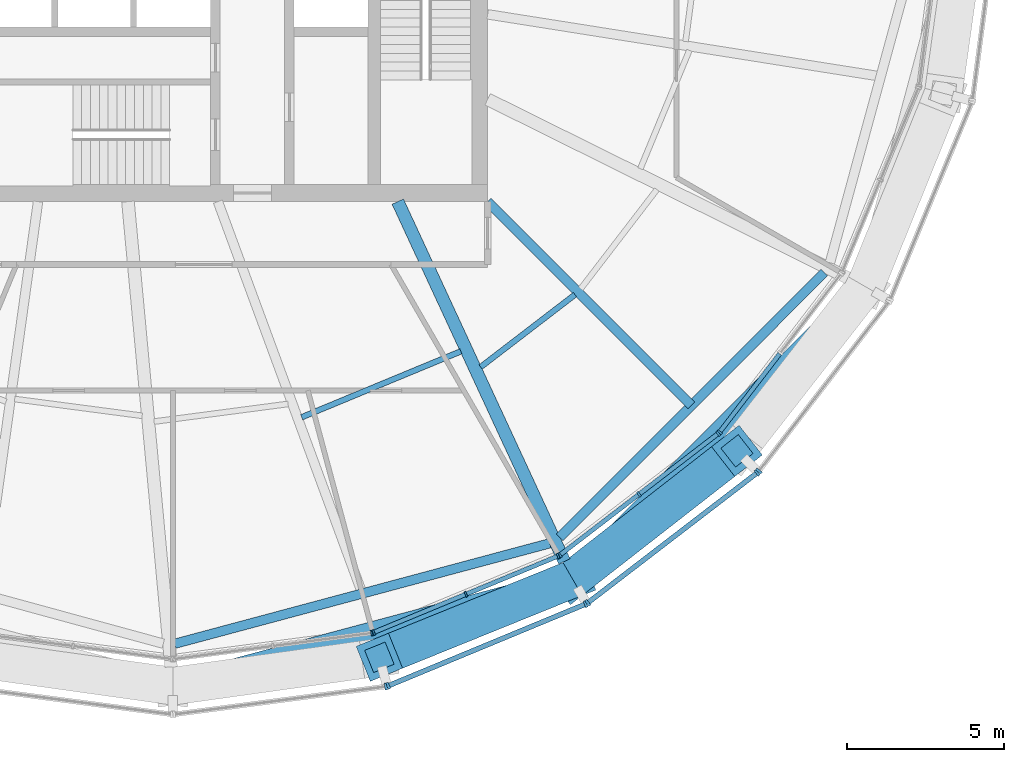
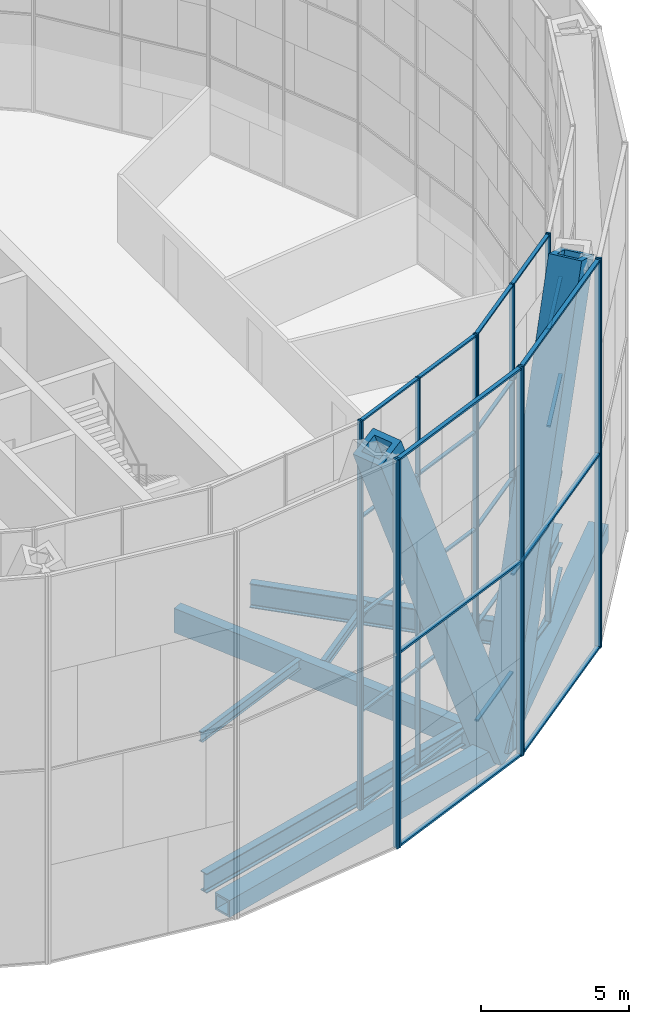
# One storey, part 5 of 29: 46 members, 8 beams, 8 elements without a shape of their own.
"""IFC4 building model written with IfcOpenShell, lengths in metres."""

from ifc_helpers import new_model, si_unit, direction, frame, origin, origin_2d, place, context, subcontext, project, spatial, rectangle, hollow_rectangle, i_section, extrude, material, material_profile, profile_set, type_object, element, aggregate, save


model = new_model("IFC4")

# Units and contexts
model_context = context("Model", 3, precision=1e-05, world=origin(), true_north=direction((0.0, 1.0)))
body_context = subcontext(model_context, "Body", "Model", "MODEL_VIEW")
ifc_project = project(units=[si_unit("LENGTHUNIT", "METRE"), si_unit("AREAUNIT", "SQUARE_METRE"), si_unit("VOLUMEUNIT", "CUBIC_METRE"), si_unit("PLANEANGLEUNIT", "RADIAN"), si_unit("MASSUNIT", "GRAM", prefix="KILO")], contexts=[model_context])

# Site, building, storey
site_placement = place(None, origin())
site = spatial("IfcSite", under=ifc_project, at=site_placement, CompositionType="ELEMENT")
building_placement = place(site_placement, origin())
building = spatial("IfcBuilding", under=site, at=building_placement, Name="Golbaran Civic Tower", CompositionType="ELEMENT")
storey_placement = place(building_placement, frame((0.0, 0.0, 118.0)))
storey = spatial("IfcBuildingStorey", under=building, at=storey_placement, Name="L28", CompositionType="ELEMENT", Elevation=118.0)

# Members
ifc_material_1 = material(Name="Steel S355", Category="steel")
ifc_material_profile_1 = material_profile(ifc_material_1, hollow_rectangle(XDim=1.199951171875, YDim=1.199951171875, WallThickness=0.219970703125, at=origin_2d()), Name="BOX 1200x1200x220")
ifc_profile_set_1 = profile_set([ifc_material_profile_1], Name="Steel S355")
member_type_1 = type_object("IfcMemberType", Name="DIAGRID DIAGONAL BOX 1200x1200x220", PredefinedType="BRACE", material=ifc_profile_set_1)
for number, where, z_axis, x_axis, name in (
    (1, (12.696533203125, -21.990966796875, -0.7099609375), (0.301533756345, 0.235212402726, 0.923987293954), (-0.615057929153, 0.788481923563, 0.0), "Diagonal D06-10R L28-L32"),
    (2, (12.696533203125, -21.990966796875, -0.7099609375), (-0.3544612565, -0.143541229562, 0.92398762603), (0.375347369478, -0.926884217271, 0.0), "Diagonal D06-10L L28-L32"),
):
    element("IfcMember", number, at=place(storey_placement, frame(where, z_axis=z_axis, x_axis=x_axis)), inside=storey, type_object=member_type_1, Name=name, PredefinedType="BRACE", context=body_context, shape_type="SweptSolid", body=[
        extrude(hollow_rectangle(XDim=1.199951171875, YDim=1.199951171875, WallThickness=0.219970703125, at=origin_2d()), origin(), (0.0, 0.0, 1.0), 17.316162109375),
    ])

# Beams
ifc_material_profile_2 = material_profile(ifc_material_1, hollow_rectangle(XDim=0.699951171875, YDim=0.699951171875, WallThickness=0.080078125, at=origin_2d()), Name="BOX 700x700x80")
ifc_profile_set_2 = profile_set([ifc_material_profile_2], Name="Steel S355")
beam_type_1 = type_object("IfcBeamType", Name="DIAGRID RING TIE BOX 700x700x80", PredefinedType="BEAM", material=ifc_profile_set_2)
beam_1_placement = place(storey_placement, frame((0.0, -25.39306640625, -0.7099609375), z_axis=(0.965924422812, 0.258824282894, 0.0), x_axis=(-0.258824282894, 0.965924422812, 0.0)))
element("IfcBeam", 3, at=beam_1_placement, inside=storey, type_object=beam_type_1, Name="Ring tie 270.00 L28", PredefinedType="BEAM", context=body_context, shape_type="SweptSolid", body=[
    extrude(hollow_rectangle(XDim=0.699951171875, YDim=0.699951171875, WallThickness=0.080078125, at=origin_2d()), origin(), (0.0, 0.0, 1.0), 13.14453125),
])
beam_2_placement = place(storey_placement, frame((12.696533203125, -21.990966796875, -0.7099609375), z_axis=(0.707106781187, 0.707106781187, 0.0), x_axis=(-0.707106781187, 0.707106781187, 0.0)))
element("IfcBeam", 4, at=beam_2_placement, inside=storey, type_object=beam_type_1, Name="Ring tie 300.00 L28", PredefinedType="BEAM", context=body_context, shape_type="SweptSolid", body=[
    extrude(hollow_rectangle(XDim=0.699951171875, YDim=0.699951171875, WallThickness=0.080078125, at=origin_2d()), origin(), (0.0, 0.0, 1.0), 13.144287109375),
])
ifc_material_profile_3 = material_profile(ifc_material_1, i_section(OverallWidth=0.300048828125, OverallDepth=0.800048828125, WebThickness=0.017578125, FlangeThickness=0.032958984375, FilletRadius=0.030029296875, at=origin_2d()), Name="HEB 800")
ifc_profile_set_3 = profile_set([ifc_material_profile_3], Name="Steel S355")
beam_type_2 = type_object("IfcBeamType", Name="EDGE BEAM HEB 800", PredefinedType="BEAM", material=ifc_profile_set_3)
beam_3_placement = place(storey_placement, frame((0.055908203125, -24.046630859375, -0.60009765625), z_axis=(0.965940985164, 0.258762464781, 0.0), x_axis=(-0.258762464781, 0.965940985164, 0.0)))
element("IfcBeam", 5, at=beam_3_placement, inside=storey, type_object=beam_type_2, Name="Edge beam 270.00 L28", PredefinedType="BEAM", context=body_context, shape_type="SweptSolid", body=[
    extrude(i_section(OverallWidth=0.300048828125, OverallDepth=0.800048828125, WebThickness=0.017578125, FlangeThickness=0.032958984375, FilletRadius=0.030029296875, at=origin_2d()), origin(), (0.0, 0.0, 1.0), 12.336181640625),
])
beam_4_placement = place(storey_placement, frame((12.28369140625, -20.671630859375, -0.60009765625), z_axis=(0.70660386413, 0.707609340806, 0.0), x_axis=(-0.707609340806, 0.70660386413, 0.0)))
element("IfcBeam", 6, at=beam_4_placement, inside=storey, type_object=beam_type_2, Name="Edge beam 300.00 L28", PredefinedType="BEAM", context=body_context, shape_type="SweptSolid", body=[
    extrude(i_section(OverallWidth=0.300048828125, OverallDepth=0.800048828125, WebThickness=0.017578125, FlangeThickness=0.032958984375, FilletRadius=0.030029296875, at=origin_2d()), origin(), (0.0, 0.0, 1.0), 11.897705078125),
])
ifc_material_profile_4 = material_profile(ifc_material_1, i_section(OverallWidth=0.179931640625, OverallDepth=0.39990234375, WebThickness=0.008544921875, FlangeThickness=0.013427734375, FilletRadius=0.02099609375, at=origin_2d()), Name="IPE 400")
ifc_profile_set_4 = profile_set([ifc_material_profile_4], Name="Steel S355")
beam_type_3 = type_object("IfcBeamType", Name="FLOOR INFILL BEAM IPE 400", PredefinedType="BEAM", material=ifc_profile_set_4)
beam_5_placement = place(storey_placement, frame((4.091064453125, -16.8505859375, -0.39990234375), z_axis=(0.923869483513, 0.382707691891, 0.0), x_axis=(-0.382707691891, 0.923869483513, 0.0)))
element("IfcBeam", 7, at=beam_5_placement, inside=storey, type_object=beam_type_3, Name="Infill beam 292.50 L28", PredefinedType="BEAM", context=body_context, shape_type="SweptSolid", body=[
    extrude(i_section(OverallWidth=0.179931640625, OverallDepth=0.39990234375, WebThickness=0.008544921875, FlangeThickness=0.013427734375, FilletRadius=0.02099609375, at=origin_2d()), origin(), (0.0, 0.0, 1.0), 5.472900390625),
])
beam_6_placement = place(storey_placement, frame((9.775146484375, -15.255126953125, -0.39990234375), z_axis=(0.793327475399, 0.608795135309, 0.0), x_axis=(-0.608795135309, 0.793327475399, 0.0)))
element("IfcBeam", 8, at=beam_6_placement, inside=storey, type_object=beam_type_3, Name="Infill beam 307.50 L28", PredefinedType="BEAM", context=body_context, shape_type="SweptSolid", body=[
    extrude(i_section(OverallWidth=0.179931640625, OverallDepth=0.39990234375, WebThickness=0.008544921875, FlangeThickness=0.013427734375, FilletRadius=0.02099609375, at=origin_2d()), origin(), (0.0, 0.0, 1.0), 3.77734375),
])

# Curtain wall, member
ifc_material_2 = material(Name="Aluminium and glass", Category="aluminium")
curtain_wall_type_1 = type_object("IfcCurtainWallType", Name="INNER SKIN CURTAIN WALL", PredefinedType="NOTDEFINED", material=ifc_material_2)
curtain_wall_1_placement = place(storey_placement, origin())
curtain_wall_1 = element("IfcCurtainWall", 9, at=curtain_wall_1_placement, inside=storey, type_object=curtain_wall_type_1, Name="Inner skin L28 facet 19 CW1", ObjectType="INNER SKIN", PredefinedType="USERDEFINED")
ifc_material_3 = material(Name="Aluminium", Category="aluminium")
ifc_material_profile_5 = material_profile(ifc_material_3, rectangle(XDim=0.179931640625, YDim=0.06494140625, at=origin_2d()), Name="INNER SKIN CURTAIN WALL MULLION")
ifc_profile_set_5 = profile_set([ifc_material_profile_5], Name="Aluminium")
member_type_2 = type_object("IfcMemberType", Name="INNER SKIN CURTAIN WALL MULLION", PredefinedType="MULLION", material=ifc_profile_set_5)
member_1_placement = place(storey_placement, frame((6.317626953125, -23.7021484375, 0.0), z_axis=(0.0, 0.0, 1.0), x_axis=(-0.130526192237, 0.991444861372, 0.0)))
member_1 = element("IfcMember", 10, at=member_1_placement, type_object=member_type_2, Name="CW1 mullion 3", PredefinedType="MULLION", context=body_context, shape_type="SweptSolid", body=[
    extrude(rectangle(XDim=0.179931640625, YDim=0.06494140625, at=origin_2d()), origin(), (0.0, 0.0, 1.0), 16.0),
])
aggregate(curtain_wall_1, [member_1])

# Curtain wall, members
curtain_wall_2_placement = place(storey_placement, origin())
curtain_wall_2 = element("IfcCurtainWall", 11, at=curtain_wall_2_placement, inside=storey, type_object=curtain_wall_type_1, Name="Inner skin L28 facet 20 CW1", ObjectType="INNER SKIN", PredefinedType="USERDEFINED")
member_2_placement = place(storey_placement, frame((6.3798828125, -23.685546875, 0.0), z_axis=(0.0, 0.0, 1.0), x_axis=(-0.38268343243, 0.923879532485, 0.0)))
member_2 = element("IfcMember", 12, at=member_2_placement, type_object=member_type_2, Name="CW1 mullion 1", PredefinedType="MULLION", context=body_context, shape_type="SweptSolid", body=[
    extrude(rectangle(XDim=0.179931640625, YDim=0.06494140625, at=origin_2d()), origin(), (0.0, 0.0, 1.0), 16.0),
])
member_3_placement = place(storey_placement, frame((9.308349609375, -22.47265625, 0.0), z_axis=(0.0, 0.0, 1.0), x_axis=(-0.38268343243, 0.923879532485, 0.0)))
member_3 = element("IfcMember", 13, at=member_3_placement, type_object=member_type_2, Name="CW1 mullion 2", PredefinedType="MULLION", context=body_context, shape_type="SweptSolid", body=[
    extrude(rectangle(XDim=0.179931640625, YDim=0.06494140625, at=origin_2d()), origin(), (0.0, 0.0, 1.0), 16.0),
])
member_4_placement = place(storey_placement, frame((12.237060546875, -21.259521484375, 0.0), z_axis=(0.0, 0.0, 1.0), x_axis=(-0.38268343243, 0.923879532485, 0.0)))
member_4 = element("IfcMember", 14, at=member_4_placement, type_object=member_type_2, Name="CW1 mullion 3", PredefinedType="MULLION", context=body_context, shape_type="SweptSolid", body=[
    extrude(rectangle(XDim=0.179931640625, YDim=0.06494140625, at=origin_2d()), origin(), (0.0, 0.0, 1.0), 16.0),
])

curtain_wall_3_placement = place(storey_placement, origin())
curtain_wall_3 = element("IfcCurtainWall", 15, at=curtain_wall_3_placement, inside=storey, type_object=curtain_wall_type_1, Name="Inner skin L28 facet 21 CW1", ObjectType="INNER SKIN", PredefinedType="USERDEFINED")
member_5_placement = place(storey_placement, frame((12.292724609375, -21.227294921875, 0.0), z_axis=(0.0, 0.0, 1.0), x_axis=(-0.608761428898, 0.793353340376, 0.0)))
member_5 = element("IfcMember", 16, at=member_5_placement, type_object=member_type_2, Name="CW1 mullion 1", PredefinedType="MULLION", context=body_context, shape_type="SweptSolid", body=[
    extrude(rectangle(XDim=0.179931640625, YDim=0.06494140625, at=origin_2d()), origin(), (0.0, 0.0, 1.0), 16.0),
])
member_6_placement = place(storey_placement, frame((14.8076171875, -19.297607421875, 0.0), z_axis=(0.0, 0.0, 1.0), x_axis=(-0.608761428898, 0.793353340376, 0.0)))
member_6 = element("IfcMember", 17, at=member_6_placement, type_object=member_type_2, Name="CW1 mullion 2", PredefinedType="MULLION", context=body_context, shape_type="SweptSolid", body=[
    extrude(rectangle(XDim=0.179931640625, YDim=0.06494140625, at=origin_2d()), origin(), (0.0, 0.0, 1.0), 16.0),
])
member_7_placement = place(storey_placement, frame((17.322265625, -17.367919921875, 0.0), z_axis=(0.0, 0.0, 1.0), x_axis=(-0.608761428898, 0.793353340376, 0.0)))
member_7 = element("IfcMember", 18, at=member_7_placement, type_object=member_type_2, Name="CW1 mullion 3", PredefinedType="MULLION", context=body_context, shape_type="SweptSolid", body=[
    extrude(rectangle(XDim=0.179931640625, YDim=0.06494140625, at=origin_2d()), origin(), (0.0, 0.0, 1.0), 16.0),
])

# Curtain wall, member
curtain_wall_4_placement = place(storey_placement, origin())
curtain_wall_4 = element("IfcCurtainWall", 19, at=curtain_wall_4_placement, inside=storey, type_object=curtain_wall_type_1, Name="Inner skin L28 facet 22 CW1", ObjectType="INNER SKIN", PredefinedType="USERDEFINED")
member_8_placement = place(storey_placement, frame((17.367919921875, -17.322265625, 0.0), z_axis=(0.0, 0.0, 1.0), x_axis=(-0.793353340376, 0.608761428898, 0.0)))
member_8 = element("IfcMember", 20, at=member_8_placement, type_object=member_type_2, Name="CW1 mullion 1", PredefinedType="MULLION", context=body_context, shape_type="SweptSolid", body=[
    extrude(rectangle(XDim=0.179931640625, YDim=0.06494140625, at=origin_2d()), origin(), (0.0, 0.0, 1.0), 16.0),
])

# Member
ifc_material_profile_6 = material_profile(ifc_material_3, rectangle(XDim=0.139892578125, YDim=0.06494140625, at=origin_2d()), Name="INNER SKIN CURTAIN WALL TRANSOM")
ifc_profile_set_6 = profile_set([ifc_material_profile_6], Name="Aluminium")
member_type_3 = type_object("IfcMemberType", Name="INNER SKIN CURTAIN WALL TRANSOM", PredefinedType="USERDEFINED", material=ifc_profile_set_6)
member_9_placement = place(storey_placement, frame((6.409912109375, -23.673095703125, 0.032470703125), z_axis=(0.923868276622, 0.382710605355, 0.0), x_axis=(-0.382710605355, 0.923868276622, 0.0)))
member_9 = element("IfcMember", 21, at=member_9_placement, type_object=member_type_3, Name="CW1 transom 1.1", ObjectType="TRANSOM", PredefinedType="USERDEFINED", context=body_context, shape_type="SweptSolid", body=[
    extrude(rectangle(XDim=0.139892578125, YDim=0.06494140625, at=origin_2d()), origin(), (0.0, 0.0, 1.0), 3.104736328125),
])

member_10_placement = place(storey_placement, frame((6.409912109375, -23.673095703125, 4.0), z_axis=(0.923868276622, 0.382710605355, 0.0), x_axis=(-0.382710605355, 0.923868276622, 0.0)))
member_10 = element("IfcMember", 22, at=member_10_placement, type_object=member_type_3, Name="CW1 transom 1.2", ObjectType="TRANSOM", PredefinedType="USERDEFINED", context=body_context, shape_type="SweptSolid", body=[
    extrude(rectangle(XDim=0.139892578125, YDim=0.06494140625, at=origin_2d()), origin(), (0.0, 0.0, 1.0), 3.104736328125),
])

member_11_placement = place(storey_placement, frame((6.409912109375, -23.673095703125, 8.0), z_axis=(0.923868276622, 0.382710605355, 0.0), x_axis=(-0.382710605355, 0.923868276622, 0.0)))
member_11 = element("IfcMember", 23, at=member_11_placement, type_object=member_type_3, Name="CW1 transom 1.3", ObjectType="TRANSOM", PredefinedType="USERDEFINED", context=body_context, shape_type="SweptSolid", body=[
    extrude(rectangle(XDim=0.139892578125, YDim=0.06494140625, at=origin_2d()), origin(), (0.0, 0.0, 1.0), 3.104736328125),
])

member_12_placement = place(storey_placement, frame((6.409912109375, -23.673095703125, 12.0), z_axis=(0.923868276622, 0.382710605355, 0.0), x_axis=(-0.382710605355, 0.923868276622, 0.0)))
member_12 = element("IfcMember", 24, at=member_12_placement, type_object=member_type_3, Name="CW1 transom 1.4", ObjectType="TRANSOM", PredefinedType="USERDEFINED", context=body_context, shape_type="SweptSolid", body=[
    extrude(rectangle(XDim=0.139892578125, YDim=0.06494140625, at=origin_2d()), origin(), (0.0, 0.0, 1.0), 3.104736328125),
])

member_13_placement = place(storey_placement, frame((6.409912109375, -23.673095703125, 15.967529296875), z_axis=(0.923868276622, 0.382710605355, 0.0), x_axis=(-0.382710605355, 0.923868276622, 0.0)))
member_13 = element("IfcMember", 25, at=member_13_placement, type_object=member_type_3, Name="CW1 transom 1.5", ObjectType="TRANSOM", PredefinedType="USERDEFINED", context=body_context, shape_type="SweptSolid", body=[
    extrude(rectangle(XDim=0.139892578125, YDim=0.06494140625, at=origin_2d()), origin(), (0.0, 0.0, 1.0), 3.104736328125),
])

member_14_placement = place(storey_placement, frame((9.33837890625, -22.460205078125, 0.032470703125), z_axis=(0.923879792653, 0.382682804327, 0.0), x_axis=(-0.382682804327, 0.923879792653, 0.0)))
member_14 = element("IfcMember", 26, at=member_14_placement, type_object=member_type_3, Name="CW1 transom 2.1", ObjectType="TRANSOM", PredefinedType="USERDEFINED", context=body_context, shape_type="SweptSolid", body=[
    extrude(rectangle(XDim=0.139892578125, YDim=0.06494140625, at=origin_2d()), origin(), (0.0, 0.0, 1.0), 3.10498046875),
])

member_15_placement = place(storey_placement, frame((9.33837890625, -22.460205078125, 4.0), z_axis=(0.923879792653, 0.382682804327, 0.0), x_axis=(-0.382682804327, 0.923879792653, 0.0)))
member_15 = element("IfcMember", 27, at=member_15_placement, type_object=member_type_3, Name="CW1 transom 2.2", ObjectType="TRANSOM", PredefinedType="USERDEFINED", context=body_context, shape_type="SweptSolid", body=[
    extrude(rectangle(XDim=0.139892578125, YDim=0.06494140625, at=origin_2d()), origin(), (0.0, 0.0, 1.0), 3.10498046875),
])

member_16_placement = place(storey_placement, frame((9.33837890625, -22.460205078125, 8.0), z_axis=(0.923879792653, 0.382682804327, 0.0), x_axis=(-0.382682804327, 0.923879792653, 0.0)))
member_16 = element("IfcMember", 28, at=member_16_placement, type_object=member_type_3, Name="CW1 transom 2.3", ObjectType="TRANSOM", PredefinedType="USERDEFINED", context=body_context, shape_type="SweptSolid", body=[
    extrude(rectangle(XDim=0.139892578125, YDim=0.06494140625, at=origin_2d()), origin(), (0.0, 0.0, 1.0), 3.10498046875),
])

member_17_placement = place(storey_placement, frame((9.33837890625, -22.460205078125, 12.0), z_axis=(0.923879792653, 0.382682804327, 0.0), x_axis=(-0.382682804327, 0.923879792653, 0.0)))
member_17 = element("IfcMember", 29, at=member_17_placement, type_object=member_type_3, Name="CW1 transom 2.4", ObjectType="TRANSOM", PredefinedType="USERDEFINED", context=body_context, shape_type="SweptSolid", body=[
    extrude(rectangle(XDim=0.139892578125, YDim=0.06494140625, at=origin_2d()), origin(), (0.0, 0.0, 1.0), 3.10498046875),
])

member_18_placement = place(storey_placement, frame((9.33837890625, -22.460205078125, 15.967529296875), z_axis=(0.923879792653, 0.382682804327, 0.0), x_axis=(-0.382682804327, 0.923879792653, 0.0)))
member_18 = element("IfcMember", 30, at=member_18_placement, type_object=member_type_3, Name="CW1 transom 2.5", ObjectType="TRANSOM", PredefinedType="USERDEFINED", context=body_context, shape_type="SweptSolid", body=[
    extrude(rectangle(XDim=0.139892578125, YDim=0.06494140625, at=origin_2d()), origin(), (0.0, 0.0, 1.0), 3.10498046875),
])

aggregate(curtain_wall_2, [member_2, member_3, member_4, member_9, member_10, member_11, member_12, member_13, member_14, member_15, member_16, member_17, member_18])

member_19_placement = place(storey_placement, frame((12.318603515625, -21.20751953125, 0.032470703125), z_axis=(0.793336705277, 0.608783107568, 0.0), x_axis=(-0.608783107568, 0.793336705277, 0.0)))
member_19 = element("IfcMember", 31, at=member_19_placement, type_object=member_type_3, Name="CW1 transom 1.1", ObjectType="TRANSOM", PredefinedType="USERDEFINED", context=body_context, shape_type="SweptSolid", body=[
    extrude(rectangle(XDim=0.139892578125, YDim=0.06494140625, at=origin_2d()), origin(), (0.0, 0.0, 1.0), 3.104736328125),
])

member_20_placement = place(storey_placement, frame((12.318603515625, -21.20751953125, 4.0), z_axis=(0.793336705277, 0.608783107568, 0.0), x_axis=(-0.608783107568, 0.793336705277, 0.0)))
member_20 = element("IfcMember", 32, at=member_20_placement, type_object=member_type_3, Name="CW1 transom 1.2", ObjectType="TRANSOM", PredefinedType="USERDEFINED", context=body_context, shape_type="SweptSolid", body=[
    extrude(rectangle(XDim=0.139892578125, YDim=0.06494140625, at=origin_2d()), origin(), (0.0, 0.0, 1.0), 3.104736328125),
])

member_21_placement = place(storey_placement, frame((12.318603515625, -21.20751953125, 8.0), z_axis=(0.793336705277, 0.608783107568, 0.0), x_axis=(-0.608783107568, 0.793336705277, 0.0)))
member_21 = element("IfcMember", 33, at=member_21_placement, type_object=member_type_3, Name="CW1 transom 1.3", ObjectType="TRANSOM", PredefinedType="USERDEFINED", context=body_context, shape_type="SweptSolid", body=[
    extrude(rectangle(XDim=0.139892578125, YDim=0.06494140625, at=origin_2d()), origin(), (0.0, 0.0, 1.0), 3.104736328125),
])

member_22_placement = place(storey_placement, frame((12.318603515625, -21.20751953125, 12.0), z_axis=(0.793336705277, 0.608783107568, 0.0), x_axis=(-0.608783107568, 0.793336705277, 0.0)))
member_22 = element("IfcMember", 34, at=member_22_placement, type_object=member_type_3, Name="CW1 transom 1.4", ObjectType="TRANSOM", PredefinedType="USERDEFINED", context=body_context, shape_type="SweptSolid", body=[
    extrude(rectangle(XDim=0.139892578125, YDim=0.06494140625, at=origin_2d()), origin(), (0.0, 0.0, 1.0), 3.104736328125),
])

member_23_placement = place(storey_placement, frame((12.318603515625, -21.20751953125, 15.967529296875), z_axis=(0.793336705277, 0.608783107568, 0.0), x_axis=(-0.608783107568, 0.793336705277, 0.0)))
member_23 = element("IfcMember", 35, at=member_23_placement, type_object=member_type_3, Name="CW1 transom 1.5", ObjectType="TRANSOM", PredefinedType="USERDEFINED", context=body_context, shape_type="SweptSolid", body=[
    extrude(rectangle(XDim=0.139892578125, YDim=0.06494140625, at=origin_2d()), origin(), (0.0, 0.0, 1.0), 3.104736328125),
])

member_24_placement = place(storey_placement, frame((14.833251953125, -19.27783203125, 0.032470703125), z_axis=(0.793365845574, 0.60874513146, 0.0), x_axis=(-0.60874513146, 0.793365845574, 0.0)))
member_24 = element("IfcMember", 36, at=member_24_placement, type_object=member_type_3, Name="CW1 transom 2.1", ObjectType="TRANSOM", PredefinedType="USERDEFINED", context=body_context, shape_type="SweptSolid", body=[
    extrude(rectangle(XDim=0.139892578125, YDim=0.06494140625, at=origin_2d()), origin(), (0.0, 0.0, 1.0), 3.10498046875),
])

member_25_placement = place(storey_placement, frame((14.833251953125, -19.27783203125, 4.0), z_axis=(0.793365845574, 0.60874513146, 0.0), x_axis=(-0.60874513146, 0.793365845574, 0.0)))
member_25 = element("IfcMember", 37, at=member_25_placement, type_object=member_type_3, Name="CW1 transom 2.2", ObjectType="TRANSOM", PredefinedType="USERDEFINED", context=body_context, shape_type="SweptSolid", body=[
    extrude(rectangle(XDim=0.139892578125, YDim=0.06494140625, at=origin_2d()), origin(), (0.0, 0.0, 1.0), 3.10498046875),
])

member_26_placement = place(storey_placement, frame((14.833251953125, -19.27783203125, 8.0), z_axis=(0.793365845574, 0.60874513146, 0.0), x_axis=(-0.60874513146, 0.793365845574, 0.0)))
member_26 = element("IfcMember", 38, at=member_26_placement, type_object=member_type_3, Name="CW1 transom 2.3", ObjectType="TRANSOM", PredefinedType="USERDEFINED", context=body_context, shape_type="SweptSolid", body=[
    extrude(rectangle(XDim=0.139892578125, YDim=0.06494140625, at=origin_2d()), origin(), (0.0, 0.0, 1.0), 3.10498046875),
])

member_27_placement = place(storey_placement, frame((14.833251953125, -19.27783203125, 12.0), z_axis=(0.793365845574, 0.60874513146, 0.0), x_axis=(-0.60874513146, 0.793365845574, 0.0)))
member_27 = element("IfcMember", 39, at=member_27_placement, type_object=member_type_3, Name="CW1 transom 2.4", ObjectType="TRANSOM", PredefinedType="USERDEFINED", context=body_context, shape_type="SweptSolid", body=[
    extrude(rectangle(XDim=0.139892578125, YDim=0.06494140625, at=origin_2d()), origin(), (0.0, 0.0, 1.0), 3.10498046875),
])

member_28_placement = place(storey_placement, frame((14.833251953125, -19.27783203125, 15.967529296875), z_axis=(0.793365845574, 0.60874513146, 0.0), x_axis=(-0.60874513146, 0.793365845574, 0.0)))
member_28 = element("IfcMember", 40, at=member_28_placement, type_object=member_type_3, Name="CW1 transom 2.5", ObjectType="TRANSOM", PredefinedType="USERDEFINED", context=body_context, shape_type="SweptSolid", body=[
    extrude(rectangle(XDim=0.139892578125, YDim=0.06494140625, at=origin_2d()), origin(), (0.0, 0.0, 1.0), 3.10498046875),
])

aggregate(curtain_wall_3, [member_5, member_6, member_7, member_19, member_20, member_21, member_22, member_23, member_24, member_25, member_26, member_27, member_28])

member_29_placement = place(storey_placement, frame((17.3876953125, -17.296630859375, 0.032470703125), z_axis=(0.60874513146, 0.793365845574, 0.0), x_axis=(-0.793365845574, 0.60874513146, 0.0)))
member_29 = element("IfcMember", 41, at=member_29_placement, type_object=member_type_3, Name="CW1 transom 1.1", ObjectType="TRANSOM", PredefinedType="USERDEFINED", context=body_context, shape_type="SweptSolid", body=[
    extrude(rectangle(XDim=0.139892578125, YDim=0.06494140625, at=origin_2d()), origin(), (0.0, 0.0, 1.0), 3.10498046875),
])

member_30_placement = place(storey_placement, frame((17.3876953125, -17.296630859375, 4.0), z_axis=(0.60874513146, 0.793365845574, 0.0), x_axis=(-0.793365845574, 0.60874513146, 0.0)))
member_30 = element("IfcMember", 42, at=member_30_placement, type_object=member_type_3, Name="CW1 transom 1.2", ObjectType="TRANSOM", PredefinedType="USERDEFINED", context=body_context, shape_type="SweptSolid", body=[
    extrude(rectangle(XDim=0.139892578125, YDim=0.06494140625, at=origin_2d()), origin(), (0.0, 0.0, 1.0), 3.10498046875),
])

member_31_placement = place(storey_placement, frame((17.3876953125, -17.296630859375, 8.0), z_axis=(0.60874513146, 0.793365845574, 0.0), x_axis=(-0.793365845574, 0.60874513146, 0.0)))
member_31 = element("IfcMember", 43, at=member_31_placement, type_object=member_type_3, Name="CW1 transom 1.3", ObjectType="TRANSOM", PredefinedType="USERDEFINED", context=body_context, shape_type="SweptSolid", body=[
    extrude(rectangle(XDim=0.139892578125, YDim=0.06494140625, at=origin_2d()), origin(), (0.0, 0.0, 1.0), 3.10498046875),
])

member_32_placement = place(storey_placement, frame((17.3876953125, -17.296630859375, 12.0), z_axis=(0.60874513146, 0.793365845574, 0.0), x_axis=(-0.793365845574, 0.60874513146, 0.0)))
member_32 = element("IfcMember", 44, at=member_32_placement, type_object=member_type_3, Name="CW1 transom 1.4", ObjectType="TRANSOM", PredefinedType="USERDEFINED", context=body_context, shape_type="SweptSolid", body=[
    extrude(rectangle(XDim=0.139892578125, YDim=0.06494140625, at=origin_2d()), origin(), (0.0, 0.0, 1.0), 3.10498046875),
])

aggregate(curtain_wall_4, [member_8, member_29, member_30, member_31, member_32])

# Curtain wall, member
curtain_wall_type_2 = type_object("IfcCurtainWallType", Name="OUTER SKIN TERRACOTTA SCREEN", PredefinedType="NOTDEFINED", material=ifc_material_2)
curtain_wall_5_placement = place(storey_placement, origin())
curtain_wall_5 = element("IfcCurtainWall", 45, at=curtain_wall_5_placement, inside=storey, type_object=curtain_wall_type_2, Name="Outer skin L28 facet 19 CW3", ObjectType="OUTER SKIN", PredefinedType="USERDEFINED")
ifc_material_profile_7 = material_profile(ifc_material_3, rectangle(XDim=0.219970703125, YDim=0.080078125, at=origin_2d()), Name="OUTER SKIN TERRACOTTA SCREEN MULLION")
ifc_profile_set_7 = profile_set([ifc_material_profile_7], Name="Aluminium")
member_type_4 = type_object("IfcMemberType", Name="OUTER SKIN TERRACOTTA SCREEN MULLION", PredefinedType="MULLION", material=ifc_profile_set_7)
member_33_placement = place(storey_placement, frame((6.765380859375, -25.40234375, -0.7099609375), z_axis=(0.0, 0.0, 1.0), x_axis=(-0.130526192168, 0.991444861381, 0.0)))
member_33 = element("IfcMember", 46, at=member_33_placement, type_object=member_type_4, Name="CW3 mullion 2", PredefinedType="MULLION", context=body_context, shape_type="SweptSolid", body=[
    extrude(rectangle(XDim=0.219970703125, YDim=0.080078125, at=origin_2d()), origin(), (0.0, 0.0, 1.0), 16.0),
])
aggregate(curtain_wall_5, [member_33])

# Curtain wall, members
curtain_wall_6_placement = place(storey_placement, origin())
curtain_wall_6 = element("IfcCurtainWall", 47, at=curtain_wall_6_placement, inside=storey, type_object=curtain_wall_type_2, Name="Outer skin L28 facet 20 CW3", ObjectType="OUTER SKIN", PredefinedType="USERDEFINED")
member_34_placement = place(storey_placement, frame((6.842041015625, -25.3818359375, -0.7099609375), z_axis=(0.0, 0.0, 1.0), x_axis=(-0.382683432381, 0.923879532505, 0.0)))
member_34 = element("IfcMember", 48, at=member_34_placement, type_object=member_type_4, Name="CW3 mullion 1", PredefinedType="MULLION", context=body_context, shape_type="SweptSolid", body=[
    extrude(rectangle(XDim=0.219970703125, YDim=0.080078125, at=origin_2d()), origin(), (0.0, 0.0, 1.0), 16.0),
])
member_35_placement = place(storey_placement, frame((13.109619140625, -22.78564453125, -0.7099609375), z_axis=(0.0, 0.0, 1.0), x_axis=(-0.382683432381, 0.923879532505, 0.0)))
member_35 = element("IfcMember", 49, at=member_35_placement, type_object=member_type_4, Name="CW3 mullion 2", PredefinedType="MULLION", context=body_context, shape_type="SweptSolid", body=[
    extrude(rectangle(XDim=0.219970703125, YDim=0.080078125, at=origin_2d()), origin(), (0.0, 0.0, 1.0), 16.0),
])

curtain_wall_7_placement = place(storey_placement, origin())
curtain_wall_7 = element("IfcCurtainWall", 50, at=curtain_wall_7_placement, inside=storey, type_object=curtain_wall_type_2, Name="Outer skin L28 facet 21 CW3", ObjectType="OUTER SKIN", PredefinedType="USERDEFINED")
member_36_placement = place(storey_placement, frame((13.17822265625, -22.74609375, -0.7099609375), z_axis=(0.0, 0.0, 1.0), x_axis=(-0.608761428995, 0.793353340302, 0.0)))
member_36 = element("IfcMember", 51, at=member_36_placement, type_object=member_type_4, Name="CW3 mullion 1", PredefinedType="MULLION", context=body_context, shape_type="SweptSolid", body=[
    extrude(rectangle(XDim=0.219970703125, YDim=0.080078125, at=origin_2d()), origin(), (0.0, 0.0, 1.0), 16.0),
])
member_37_placement = place(storey_placement, frame((18.560302734375, -18.6162109375, -0.7099609375), z_axis=(0.0, 0.0, 1.0), x_axis=(-0.608761428995, 0.793353340302, 0.0)))
member_37 = element("IfcMember", 52, at=member_37_placement, type_object=member_type_4, Name="CW3 mullion 2", PredefinedType="MULLION", context=body_context, shape_type="SweptSolid", body=[
    extrude(rectangle(XDim=0.219970703125, YDim=0.080078125, at=origin_2d()), origin(), (0.0, 0.0, 1.0), 16.0),
])

# Curtain wall, member
curtain_wall_8_placement = place(storey_placement, origin())
curtain_wall_8 = element("IfcCurtainWall", 53, at=curtain_wall_8_placement, inside=storey, type_object=curtain_wall_type_2, Name="Outer skin L28 facet 22 CW3", ObjectType="OUTER SKIN", PredefinedType="USERDEFINED")
member_38_placement = place(storey_placement, frame((18.6162109375, -18.560302734375, -0.7099609375), z_axis=(0.0, 0.0, 1.0), x_axis=(-0.793353340302, 0.608761428995, 0.0)))
member_38 = element("IfcMember", 54, at=member_38_placement, type_object=member_type_4, Name="CW3 mullion 1", PredefinedType="MULLION", context=body_context, shape_type="SweptSolid", body=[
    extrude(rectangle(XDim=0.219970703125, YDim=0.080078125, at=origin_2d()), origin(), (0.0, 0.0, 1.0), 16.0),
])
aggregate(curtain_wall_8, [member_38])

# Member
ifc_material_profile_8 = material_profile(ifc_material_3, rectangle(XDim=0.159912109375, YDim=0.080078125, at=origin_2d()), Name="OUTER SKIN TERRACOTTA SCREEN TRANSOM")
ifc_profile_set_8 = profile_set([ifc_material_profile_8], Name="Aluminium")
member_type_5 = type_object("IfcMemberType", Name="OUTER SKIN TERRACOTTA SCREEN TRANSOM", PredefinedType="USERDEFINED", material=ifc_profile_set_8)
member_39_placement = place(storey_placement, frame((6.879150390625, -25.366455078125, -0.669921875), z_axis=(0.923876566489, 0.382690592899, 0.0), x_axis=(-0.382690592899, 0.923876566489, 0.0)))
member_39 = element("IfcMember", 55, at=member_39_placement, type_object=member_type_5, Name="CW3 transom 1.1", ObjectType="TRANSOM", PredefinedType="USERDEFINED", context=body_context, shape_type="SweptSolid", body=[
    extrude(rectangle(XDim=0.159912109375, YDim=0.080078125, at=origin_2d()), origin(), (0.0, 0.0, 1.0), 6.70361328125),
])

member_40_placement = place(storey_placement, frame((6.879150390625, -25.366455078125, 7.2900390625), z_axis=(0.923876566489, 0.382690592899, 0.0), x_axis=(-0.382690592899, 0.923876566489, 0.0)))
member_40 = element("IfcMember", 56, at=member_40_placement, type_object=member_type_5, Name="CW3 transom 1.2", ObjectType="TRANSOM", PredefinedType="USERDEFINED", context=body_context, shape_type="SweptSolid", body=[
    extrude(rectangle(XDim=0.159912109375, YDim=0.080078125, at=origin_2d()), origin(), (0.0, 0.0, 1.0), 6.70361328125),
])

member_41_placement = place(storey_placement, frame((6.879150390625, -25.366455078125, 15.25), z_axis=(0.923876566489, 0.382690592899, 0.0), x_axis=(-0.382690592899, 0.923876566489, 0.0)))
member_41 = element("IfcMember", 57, at=member_41_placement, type_object=member_type_5, Name="CW3 transom 1.3", ObjectType="TRANSOM", PredefinedType="USERDEFINED", context=body_context, shape_type="SweptSolid", body=[
    extrude(rectangle(XDim=0.159912109375, YDim=0.080078125, at=origin_2d()), origin(), (0.0, 0.0, 1.0), 6.70361328125),
])

aggregate(curtain_wall_6, [member_34, member_35, member_39, member_40, member_41])

member_42_placement = place(storey_placement, frame((13.2099609375, -22.7216796875, -0.669921875), z_axis=(0.793357182153, 0.608756422165, 0.0), x_axis=(-0.608756422165, 0.793357182153, 0.0)))
member_42 = element("IfcMember", 58, at=member_42_placement, type_object=member_type_5, Name="CW3 transom 1.1", ObjectType="TRANSOM", PredefinedType="USERDEFINED", context=body_context, shape_type="SweptSolid", body=[
    extrude(rectangle(XDim=0.159912109375, YDim=0.080078125, at=origin_2d()), origin(), (0.0, 0.0, 1.0), 6.703857421875),
])

member_43_placement = place(storey_placement, frame((13.2099609375, -22.7216796875, 7.2900390625), z_axis=(0.793357182153, 0.608756422165, 0.0), x_axis=(-0.608756422165, 0.793357182153, 0.0)))
member_43 = element("IfcMember", 59, at=member_43_placement, type_object=member_type_5, Name="CW3 transom 1.2", ObjectType="TRANSOM", PredefinedType="USERDEFINED", context=body_context, shape_type="SweptSolid", body=[
    extrude(rectangle(XDim=0.159912109375, YDim=0.080078125, at=origin_2d()), origin(), (0.0, 0.0, 1.0), 6.703857421875),
])

member_44_placement = place(storey_placement, frame((13.2099609375, -22.7216796875, 15.25), z_axis=(0.793357182153, 0.608756422165, 0.0), x_axis=(-0.608756422165, 0.793357182153, 0.0)))
member_44 = element("IfcMember", 60, at=member_44_placement, type_object=member_type_5, Name="CW3 transom 1.3", ObjectType="TRANSOM", PredefinedType="USERDEFINED", context=body_context, shape_type="SweptSolid", body=[
    extrude(rectangle(XDim=0.159912109375, YDim=0.080078125, at=origin_2d()), origin(), (0.0, 0.0, 1.0), 6.703857421875),
])

aggregate(curtain_wall_7, [member_36, member_37, member_42, member_43, member_44])

# Beams
ifc_material_profile_9 = material_profile(ifc_material_1, hollow_rectangle(XDim=0.39990234375, YDim=1.0, WallThickness=0.0400390625, at=origin_2d()), Name="BOX 1000x400x40")
ifc_profile_set_9 = profile_set([ifc_material_profile_9], Name="Steel S355")
beam_type_4 = type_object("IfcBeamType", Name="RADIAL FLOOR BEAM BOX 1000x400x40", PredefinedType="BEAM", material=ifc_profile_set_9)
beam_7_placement = place(storey_placement, frame((7.142822265625, -10.0, -0.7099609375), z_axis=(0.420263345049, -0.907402182501, 0.0), x_axis=(0.907402182501, 0.420263345049, 0.0)))
element("IfcBeam", 61, at=beam_7_placement, inside=storey, type_object=beam_type_4, Name="Radial beam 300.00 L28", PredefinedType="BEAM", context=body_context, shape_type="SweptSolid", body=[
    extrude(hollow_rectangle(XDim=0.39990234375, YDim=1.0, WallThickness=0.0400390625, at=origin_2d()), origin(), (0.0, 0.0, 1.0), 12.598388671875),
])
ifc_material_profile_10 = material_profile(ifc_material_1, i_section(OverallWidth=0.300048828125, OverallDepth=1.0, WebThickness=0.01904296875, FlangeThickness=0.035888671875, FilletRadius=0.030029296875, at=origin_2d()), Name="HEB 1000")
ifc_profile_set_10 = profile_set([ifc_material_profile_10], Name="Steel S355")
beam_type_5 = type_object("IfcBeamType", Name="SECONDARY FLOOR BEAM HEB 1000", PredefinedType="BEAM", material=ifc_profile_set_10)
beam_8_placement = place(storey_placement, frame((10.0, -10.0, -0.7099609375), z_axis=(0.707106781187, -0.707106781187, 0.0), x_axis=(0.707106781187, 0.707106781187, 0.0)))
element("IfcBeam", 62, at=beam_8_placement, inside=storey, type_object=beam_type_5, Name="Secondary beam 315.00 L28", PredefinedType="BEAM", context=body_context, shape_type="SweptSolid", body=[
    extrude(i_section(OverallWidth=0.300048828125, OverallDepth=1.0, WebThickness=0.01904296875, FlangeThickness=0.035888671875, FilletRadius=0.030029296875, at=origin_2d()), origin(), (0.0, 0.0, 1.0), 9.156494140625),
])

save(model, "model.ifc")
